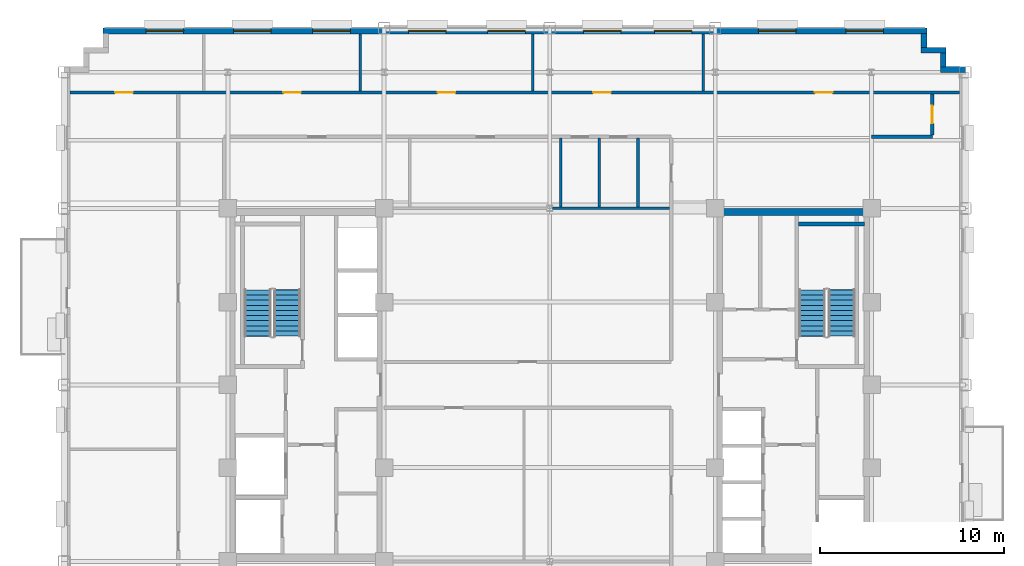
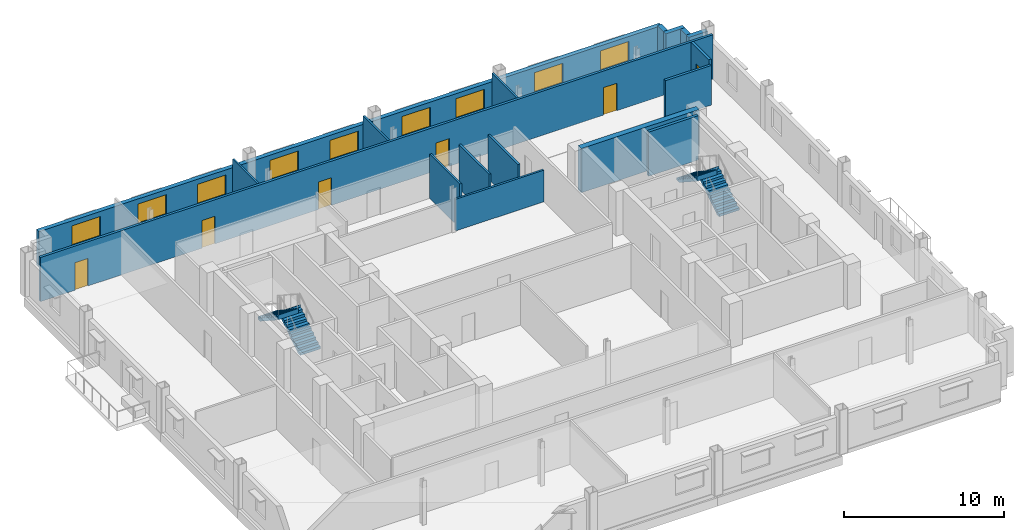
# One storey, part 10 of 14: 17 walls, 9 windows, 6 doors, 4 stair flights, 15 openings, 2 elements without a shape of their own.
"""IFC4 building model written with IfcOpenShell, lengths in metres."""

import ifcopenshell
import ifcopenshell.guid

model = None  # the IFC model being written
_history = None  # IfcOwnerHistory: only IFC2X3 demands one
_inside = {}  # id of a spatial element -> (the spatial element, [elements in it])
_under = {}  # id of a project, library or spatial element -> (it, [spatial elements below it])
_declared = {}  # id of a project -> (the project, [libraries it declares])
_typed = {}  # id of a type object -> (the type object, [elements of that type])
_made_of = {}  # id of a material, layer set ... -> (it, [elements and type objects made of it])


def new_model(schema):
    """Start an empty IFC model of exactly this schema.

    Asked for "IFC4X3", IfcOpenShell would pick the latest addendum, in which some entities
    have other attributes; the version numbers below select the first issue.
    IFC2X3 requires an IfcOwnerHistory on every rooted entity: one is made here for all.
    """
    global model, _history
    if schema == "IFC4X3":
        model = ifcopenshell.file(schema_version=(4, 3, 0, 0))
    else:
        model = ifcopenshell.file(schema=schema)
    _inside.clear()
    _under.clear()
    _declared.clear()
    _typed.clear()
    _made_of.clear()
    _history = None
    if model.schema == "IFC2X3":
        org = make("IfcOrganization", Name="unknown")
        user = make(
            "IfcPersonAndOrganization",
            ThePerson=make("IfcPerson", FamilyName="unknown"),
            TheOrganization=org,
        )
        app = make(
            "IfcApplication",
            ApplicationDeveloper=org,
            Version="unknown",
            ApplicationFullName="unknown",
            ApplicationIdentifier="unknown",
        )
        _history = make(
            "IfcOwnerHistory",
            OwningUser=user,
            OwningApplication=app,
            ChangeAction="ADDED",
            CreationDate=0,
        )
    return model


def make(cls, **values):
    """One entity of the class cls with the attributes given. An attribute that is None is left unset."""
    return model.create_entity(
        cls, **{name: value for name, value in values.items() if value is not None}
    )


def rooted(cls, **values):
    """An entity with a GlobalId (a new one), such as an element, a storey or a relation."""
    return make(cls, GlobalId=ifcopenshell.guid.new(), OwnerHistory=_history, **values)


def si_unit(unit_type, name, prefix=None):
    """IfcSIUnit, for example si_unit("LENGTHUNIT", "METRE", prefix="MILLI")."""
    return make("IfcSIUnit", UnitType=unit_type, Prefix=prefix, Name=name)


def assignment(units):
    """IfcUnitAssignment: the units of a project."""
    return None if units is None else make("IfcUnitAssignment", Units=units)


def point(xyz):
    """IfcCartesianPoint."""
    return None if xyz is None else make("IfcCartesianPoint", Coordinates=xyz)


def direction(xyz):
    """IfcDirection."""
    return None if xyz is None else make("IfcDirection", DirectionRatios=xyz)


def frame(location, z_axis=None, x_axis=None):
    """IfcAxis2Placement3D, a coordinate frame: its origin and axes. An axis left out is left unset."""
    return make(
        "IfcAxis2Placement3D",
        Location=point(location),
        Axis=direction(z_axis),
        RefDirection=direction(x_axis),
    )


def frame_2d(location, x_axis=None):
    """IfcAxis2Placement2D, a coordinate frame in the plane: its origin and x axis."""
    return make(
        "IfcAxis2Placement2D", Location=point(location), RefDirection=direction(x_axis)
    )


def origin():
    """The frame at (0, 0, 0) with its axes left unset."""
    return frame((0.0, 0.0, 0.0))


def place(relative_to, where):
    """IfcLocalPlacement: puts the frame where relative to a parent placement (None: the world)."""
    return make(
        "IfcLocalPlacement", PlacementRelTo=relative_to, RelativePlacement=where
    )


def context(
    kind, dimensions, precision=None, world=None, true_north=None, identifier=None
):
    """IfcGeometricRepresentationContext, for example the 3D "Model" context."""
    return make(
        "IfcGeometricRepresentationContext",
        ContextIdentifier=identifier,
        ContextType=kind,
        CoordinateSpaceDimension=dimensions,
        Precision=precision,
        WorldCoordinateSystem=world,
        TrueNorth=true_north,
    )


def subcontext(parent, identifier, kind, view, scale=None):
    """IfcGeometricRepresentationSubContext, for example "Body" below "Model"."""
    return make(
        "IfcGeometricRepresentationSubContext",
        ContextIdentifier=identifier,
        ContextType=kind,
        ParentContext=parent,
        TargetScale=scale,
        TargetView=view,
    )


def project(units=None, contexts=None):
    """IfcProject with its units and contexts."""
    return rooted(
        "IfcProject",
        Name="project",
        RepresentationContexts=contexts,
        UnitsInContext=assignment(units),
    )


def spatial(cls, under=None, at=None, **own):
    """A site, building, storey or space (cls), placed at a placement, below another one or the project."""
    s = rooted(cls, ObjectPlacement=at, **own)
    if under is not None:
        _under.setdefault(under.id(), (under, []))[1].append(s)
    return s


def polyline(points):
    """IfcPolyline through the points."""
    return make("IfcPolyline", Points=[point(p) for p in points])


def profile(cls, at=None, kind="AREA", **sizes):
    """A parametric profile (cls). Its sizes go by their IFC names, for example OverallWidth=200.0."""
    return make(cls, ProfileType=kind, Position=at, **sizes)


def rectangle(**sizes):
    """IfcRectangleProfileDef."""
    return profile("IfcRectangleProfileDef", **sizes)


def outline(outer, holes=None, kind="AREA"):
    """IfcArbitraryClosedProfileDef: a profile drawn as a closed curve; with holes, ...WithVoids."""
    if holes is None:
        return make("IfcArbitraryClosedProfileDef", ProfileType=kind, OuterCurve=outer)
    return make(
        "IfcArbitraryProfileDefWithVoids",
        ProfileType=kind,
        OuterCurve=outer,
        InnerCurves=holes,
    )


def extrude(swept, where, along, depth):
    """IfcExtrudedAreaSolid: the profile swept, set in the frame where, extruded along a direction by depth."""
    return make(
        "IfcExtrudedAreaSolid",
        SweptArea=swept,
        Position=where,
        ExtrudedDirection=direction(along),
        Depth=depth,
    )


def shape(context_of_items, identifier, shape_type, items):
    """IfcShapeRepresentation: the items that make up one representation, for example the "Body"."""
    return make(
        "IfcShapeRepresentation",
        ContextOfItems=context_of_items,
        RepresentationIdentifier=identifier,
        RepresentationType=shape_type,
        Items=items,
    )


def source(mapping_origin, context_of_items, identifier, shape_type, items):
    """IfcRepresentationMap: a shape defined once, which mapped items show again and again."""
    return make(
        "IfcRepresentationMap",
        MappingOrigin=mapping_origin,
        MappedRepresentation=shape(context_of_items, identifier, shape_type, items),
    )


def transform(
    local_origin,
    x_axis=None,
    y_axis=None,
    z_axis=None,
    scale=None,
    scale2=None,
    scale3=None,
    uniform=True,
):
    """IfcCartesianTransformationOperator3D, or its non-uniform kind. x_axis, y_axis, z_axis: its Axis1, 2, 3."""
    if uniform:
        return make(
            "IfcCartesianTransformationOperator3D",
            Axis1=direction(x_axis),
            Axis2=direction(y_axis),
            LocalOrigin=point(local_origin),
            Scale=scale,
            Axis3=direction(z_axis),
        )
    return make(
        "IfcCartesianTransformationOperator3DnonUniform",
        Axis1=direction(x_axis),
        Axis2=direction(y_axis),
        LocalOrigin=point(local_origin),
        Scale=scale,
        Axis3=direction(z_axis),
        Scale2=scale2,
        Scale3=scale3,
    )


def mapped(mapping_source, mapping_target):
    """IfcMappedItem: shows the shape of a source again, moved by a transform."""
    return make(
        "IfcMappedItem", MappingSource=mapping_source, MappingTarget=mapping_target
    )


def material(Name=None, Category=None):
    """IfcMaterial."""
    return make("IfcMaterial", Name=Name, Category=Category)


def layer(
    of_material, thickness, ventilated=None, Name=None, Category=None, Priority=None
):
    """IfcMaterialLayer: one layer of a wall or slab, of a material (None: an air gap)."""
    return make(
        "IfcMaterialLayer",
        Material=of_material,
        LayerThickness=thickness,
        IsVentilated=ventilated,
        Name=Name,
        Category=Category,
        Priority=Priority,
    )


def layer_set(layers, Name=None):
    """IfcMaterialLayerSet."""
    return make("IfcMaterialLayerSet", MaterialLayers=layers, LayerSetName=Name)


def made_of(thing, what):
    """Note that an element or type object is made of a material, layer set ...; save() writes the relation."""
    if what is not None:
        _made_of.setdefault(what.id(), (what, []))[1].append(thing)
    return thing


def type_object(cls, material=None, **own):
    """A type object (cls), such as IfcWallType, which elements share."""
    return made_of(rooted(cls, **own), material)


def type_shapes(of_type, sources):
    """Give a type object the sources (RepresentationMaps) that its elements show as mapped items."""
    of_type.RepresentationMaps = sources


def element(
    cls,
    number,
    at=None,
    inside=None,
    cuts=None,
    type_object=None,
    material=None,
    context=None,
    identifier="Body",
    shape_type=None,
    held_by="IfcProductDefinitionShape",
    body=None,
    shapes=None,
    **own,
):
    """One element of the class cls, such as IfcWall. Its Tag is "e" and its number.

    at: its placement. inside: the storey or other place that contains it. cuts: it is an
    opening in that element (IfcRelVoidsElement). A single representation is given by context,
    identifier, shape_type and body (its items); several are given by shapes. held_by: the class
    of the entity that holds the representations. save() writes the other relations.
    """
    e = rooted(cls, Tag="e%d" % number, ObjectPlacement=at, **own)
    if body is not None:
        shapes = [shape(context, identifier, shape_type, body)]
    if shapes is not None:
        e.Representation = make(held_by, Representations=shapes)
    if inside is not None:
        _inside.setdefault(inside.id(), (inside, []))[1].append(e)
    if cuts is not None:
        rooted(
            "IfcRelVoidsElement", RelatingBuildingElement=cuts, RelatedOpeningElement=e
        )
    if type_object is not None:
        _typed.setdefault(type_object.id(), (type_object, []))[1].append(e)
    return made_of(e, material)


def fill(opening, filler):
    """IfcRelFillsElement: the door or window that sits in an opening."""
    return rooted(
        "IfcRelFillsElement",
        RelatingOpeningElement=opening,
        RelatedBuildingElement=filler,
    )


def aggregate(whole, parts):
    """IfcRelAggregates: a whole, such as a stair, and the parts it consists of."""
    return rooted("IfcRelAggregates", RelatingObject=whole, RelatedObjects=parts)


def save(model, path):
    """Write the relations noted so far, then the file.

    IfcRelAggregates (storeys below a building ...), IfcRelContainedInSpatialStructure (elements
    in a storey), IfcRelDefinesByType, IfcRelAssociatesMaterial and IfcRelDeclares: one each for
    every whole, place, type object, material and project.
    """
    for whole, parts in _under.values():
        aggregate(whole, parts)
    for where, things in _inside.values():
        rooted(
            "IfcRelContainedInSpatialStructure",
            RelatedElements=things,
            RelatingStructure=where,
        )
    for kind, things in _typed.values():
        rooted("IfcRelDefinesByType", RelatedObjects=things, RelatingType=kind)
    for what, things in _made_of.values():
        rooted("IfcRelAssociatesMaterial", RelatedObjects=things, RelatingMaterial=what)
    for by, libraries in _declared.values():
        rooted("IfcRelDeclares", RelatingContext=by, RelatedDefinitions=libraries)
    model.write(path)


model = new_model("IFC4")

# Units and contexts
model_context = context("Model", 3, precision=1e-05, world=origin(), true_north=direction((0.0, 1.0)))
body_context = subcontext(model_context, "Body", "Model", "MODEL_VIEW")
ifc_project = project(units=[si_unit("LENGTHUNIT", "METRE"), si_unit("AREAUNIT", "SQUARE_METRE"), si_unit("VOLUMEUNIT", "CUBIC_METRE"), si_unit("PLANEANGLEUNIT", "RADIAN"), si_unit("MASSUNIT", "GRAM", prefix="KILO")], contexts=[model_context])

# Site, building, storey
site_placement = place(None, origin())
site = spatial("IfcSite", under=ifc_project, at=site_placement, CompositionType="ELEMENT")
building_placement = place(site_placement, origin())
building = spatial("IfcBuilding", under=site, at=building_placement, Name="Nuvemarco Arch Tower", CompositionType="ELEMENT")
storey_placement = place(building_placement, frame((0.0, 0.0, 171.300048828125)))
storey = spatial("IfcBuildingStorey", under=building, at=storey_placement, Name="L45", CompositionType="ELEMENT", Elevation=171.300048828125)

# Walls
ifc_material_1 = material(Name="Precast concrete C45/55", Category="concrete")
ifc_layer_1 = layer(ifc_material_1, 0.31005859375, Name="EW-UPP-310")
ifc_layer_set_1 = layer_set([ifc_layer_1], Name="Precast concrete C45/55")
wall_type_1 = type_object("IfcWallType", Name="EW-UPP-310", PredefinedType="STANDARD", material=ifc_layer_set_1)
wall_1_placement = place(storey_placement, frame((21.239990234375, 17.14501953125, 0.0), z_axis=(0.0, 0.0, 1.0), x_axis=(1.0, 0.0, 0.0)))
element("IfcWall", 1, at=wall_1_placement, inside=storey, type_object=wall_type_1, Name="L45 exterior precast facade wall 7", PredefinedType="STANDARD", context=body_context, shape_type="SweptSolid", body=[
    extrude(rectangle(XDim=1.360107421875, YDim=0.31005859375, at=frame_2d((0.68017578125, 0.0))), origin(), (0.0, 0.0, 1.0), 2.81591796875),
])
wall_2_placement = place(storey_placement, frame((21.39501953125, 17.2958984375, 0.0), z_axis=(0.0, 0.0, 1.0), x_axis=(0.0, 1.0, 0.0)))
element("IfcWall", 2, at=wall_2_placement, inside=storey, type_object=wall_type_1, Name="L45 exterior precast facade wall 8", PredefinedType="STANDARD", context=body_context, shape_type="SweptSolid", body=[
    extrude(rectangle(XDim=0.748046875, YDim=0.31005859375, at=frame_2d((0.3740234375, 0.0))), origin(), (0.0, 0.0, 1.0), 2.81591796875),
])
wall_3_placement = place(storey_placement, frame((20.18994140625, 18.195068359375, 0.0), z_axis=(0.0, 0.0, 1.0), x_axis=(1.0, 0.0, 0.0)))
element("IfcWall", 3, at=wall_3_placement, inside=storey, type_object=wall_type_1, Name="L45 exterior precast facade wall 9", PredefinedType="STANDARD", context=body_context, shape_type="SweptSolid", body=[
    extrude(rectangle(XDim=1.360107421875, YDim=0.31005859375, at=frame_2d((0.68017578125, 0.0))), origin(), (0.0, 0.0, 1.0), 2.81591796875),
])
wall_4_placement = place(storey_placement, frame((20.344970703125, 18.345947265625, 0.0), z_axis=(0.0, 0.0, 1.0), x_axis=(0.0, 1.0, 0.0)))
element("IfcWall", 4, at=wall_4_placement, inside=storey, type_object=wall_type_1, Name="L45 exterior precast facade wall 10", PredefinedType="STANDARD", context=body_context, shape_type="SweptSolid", body=[
    extrude(rectangle(XDim=0.748046875, YDim=0.31005859375, at=frame_2d((0.3740234375, 0.0))), origin(), (0.0, 0.0, 1.0), 2.81591796875),
])

# Wall, openings, windows
wall_5_placement = place(storey_placement, frame((-24.300048828125, 19.2451171875, 0.0), z_axis=(0.0, 0.0, 1.0), x_axis=(1.0, 0.0, 0.0)))
wall_5 = element("IfcWall", 5, at=wall_5_placement, inside=storey, type_object=wall_type_1, Name="L45 exterior precast facade wall 11", PredefinedType="STANDARD", context=body_context, shape_type="SweptSolid", body=[
    extrude(rectangle(XDim=44.800048828125, YDim=0.31005859375, at=frame_2d((22.39990234375, 0.0))), origin(), (0.0, 0.0, 1.0), 2.704833984375),
])
opening_1_placement = place(wall_5_placement, frame((2.352783203125, 0.0, 0.800048828125)))
opening_1 = element("IfcOpeningElement", 6, at=opening_1_placement, cuts=wall_5, Name="Opening WN-12", PredefinedType="OPENING", context=body_context, shape_type="SweptSolid", body=[
    extrude(rectangle(XDim=2.050048828125, YDim=1.52001953125, at=frame_2d((1.02490234375, 0.760009765625))), frame((0.0, 0.1650390625, 0.0), z_axis=(0.0, -1.0, 0.0), x_axis=(1.0, 0.0, 0.0)), (0.0, 0.0, 1.0), 0.330078125),
])
opening_2_placement = place(wall_5_placement, frame((7.1083984375, 0.0, 0.800048828125)))
opening_2 = element("IfcOpeningElement", 7, at=opening_2_placement, cuts=wall_5, Name="Opening WN-12", PredefinedType="OPENING", context=body_context, shape_type="SweptSolid", body=[
    extrude(rectangle(XDim=2.050048828125, YDim=1.52001953125, at=frame_2d((1.02490234375, 0.760009765625))), frame((0.0, 0.1650390625, 0.0), z_axis=(0.0, -1.0, 0.0), x_axis=(1.0, 0.0, 0.0)), (0.0, 0.0, 1.0), 0.330078125),
])
opening_3_placement = place(wall_5_placement, frame((11.413818359375, 0.0, 0.800048828125)))
opening_3 = element("IfcOpeningElement", 8, at=opening_3_placement, cuts=wall_5, Name="Opening WN-12", PredefinedType="OPENING", context=body_context, shape_type="SweptSolid", body=[
    extrude(rectangle(XDim=2.050048828125, YDim=1.52001953125, at=frame_2d((1.02490234375, 0.760009765625))), frame((0.0, 0.1650390625, 0.0), z_axis=(0.0, -1.0, 0.0), x_axis=(1.0, 0.0, 0.0)), (0.0, 0.0, 1.0), 0.330078125),
])
opening_4_placement = place(wall_5_placement, frame((16.619384765625, 0.0, 0.800048828125)))
opening_4 = element("IfcOpeningElement", 9, at=opening_4_placement, cuts=wall_5, Name="Opening WN-12", PredefinedType="OPENING", context=body_context, shape_type="SweptSolid", body=[
    extrude(rectangle(XDim=2.050048828125, YDim=1.52001953125, at=frame_2d((1.02490234375, 0.760009765625))), frame((0.0, 0.1650390625, 0.0), z_axis=(0.0, -1.0, 0.0), x_axis=(1.0, 0.0, 0.0)), (0.0, 0.0, 1.0), 0.330078125),
])
opening_5_placement = place(wall_5_placement, frame((20.925048828125, 0.0, 0.800048828125)))
opening_5 = element("IfcOpeningElement", 10, at=opening_5_placement, cuts=wall_5, Name="Opening WN-12", PredefinedType="OPENING", context=body_context, shape_type="SweptSolid", body=[
    extrude(rectangle(XDim=2.050048828125, YDim=1.52001953125, at=frame_2d((1.02490234375, 0.760009765625))), frame((0.0, 0.1650390625, 0.0), z_axis=(0.0, -1.0, 0.0), x_axis=(1.0, 0.0, 0.0)), (0.0, 0.0, 1.0), 0.330078125),
])
opening_6_placement = place(wall_5_placement, frame((26.130615234375, 0.0, 0.800048828125)))
opening_6 = element("IfcOpeningElement", 11, at=opening_6_placement, cuts=wall_5, Name="Opening WN-12", PredefinedType="OPENING", context=body_context, shape_type="SweptSolid", body=[
    extrude(rectangle(XDim=2.050048828125, YDim=1.52001953125, at=frame_2d((1.02490234375, 0.760009765625))), frame((0.0, 0.1650390625, 0.0), z_axis=(0.0, -1.0, 0.0), x_axis=(1.0, 0.0, 0.0)), (0.0, 0.0, 1.0), 0.330078125),
])
opening_7_placement = place(wall_5_placement, frame((29.986083984375, 0.0, 0.800048828125)))
opening_7 = element("IfcOpeningElement", 12, at=opening_7_placement, cuts=wall_5, Name="Opening WN-12", PredefinedType="OPENING", context=body_context, shape_type="SweptSolid", body=[
    extrude(rectangle(XDim=2.050048828125, YDim=1.52001953125, at=frame_2d((1.02490234375, 0.760009765625))), frame((0.0, 0.1650390625, 0.0), z_axis=(0.0, -1.0, 0.0), x_axis=(1.0, 0.0, 0.0)), (0.0, 0.0, 1.0), 0.330078125),
])
opening_8_placement = place(wall_5_placement, frame((35.6416015625, 0.0, 0.800048828125)))
opening_8 = element("IfcOpeningElement", 13, at=opening_8_placement, cuts=wall_5, Name="Opening WN-12", PredefinedType="OPENING", context=body_context, shape_type="SweptSolid", body=[
    extrude(rectangle(XDim=2.050048828125, YDim=1.52001953125, at=frame_2d((1.02490234375, 0.760009765625))), frame((0.0, 0.1650390625, 0.0), z_axis=(0.0, -1.0, 0.0), x_axis=(1.0, 0.0, 0.0)), (0.0, 0.0, 1.0), 0.330078125),
])
opening_9_placement = place(wall_5_placement, frame((40.397216796875, 0.0, 0.800048828125)))
opening_9 = element("IfcOpeningElement", 14, at=opening_9_placement, cuts=wall_5, Name="Opening WN-12", PredefinedType="OPENING", context=body_context, shape_type="SweptSolid", body=[
    extrude(rectangle(XDim=2.050048828125, YDim=1.52001953125, at=frame_2d((1.02490234375, 0.760009765625))), frame((0.0, 0.1650390625, 0.0), z_axis=(0.0, -1.0, 0.0), x_axis=(1.0, 0.0, 0.0)), (0.0, 0.0, 1.0), 0.330078125),
])
ifc_material_2 = material(Name="Insulated solar-control glass", Category="glass")
window_type = type_object("IfcWindowType", Name="WN-SET-2050x1520", PartitioningType="DOUBLE_PANEL_VERTICAL", PredefinedType="WINDOW", material=ifc_material_2)
shared_shape_1 = source(origin(), body_context, "Body", "SweptSolid", [
    extrude(rectangle(XDim=2.050048828125, YDim=1.52001953125, at=frame_2d((1.02490234375, 0.760009765625))), frame((0.0, 0.030029296875, 0.0), z_axis=(0.0, -1.0, 0.0), x_axis=(1.0, 0.0, 0.0)), (0.0, 0.0, 1.0), 0.06005859375),
])
type_shapes(window_type, [shared_shape_1])
window_1_placement = place(opening_1_placement, origin())
window_1 = element("IfcWindow", 15, at=window_1_placement, inside=storey, type_object=window_type, Name="L45 punched facade window 1", OverallHeight=1.52001953125, OverallWidth=2.050048828125, PartitioningType="SINGLE_PANEL", PredefinedType="WINDOW", context=body_context, shape_type="MappedRepresentation", body=[
    mapped(shared_shape_1, transform((0.0, 0.0, 0.0), scale=1.0)),
])
fill(opening_1, window_1)
window_2_placement = place(opening_2_placement, origin())
window_2 = element("IfcWindow", 16, at=window_2_placement, inside=storey, type_object=window_type, Name="L45 punched facade window 2", OverallHeight=1.52001953125, OverallWidth=2.050048828125, PartitioningType="SINGLE_PANEL", PredefinedType="WINDOW", context=body_context, shape_type="MappedRepresentation", body=[
    mapped(shared_shape_1, transform((0.0, 0.0, 0.0), scale=1.0)),
])
fill(opening_2, window_2)
window_3_placement = place(opening_3_placement, origin())
window_3 = element("IfcWindow", 17, at=window_3_placement, inside=storey, type_object=window_type, Name="L45 punched facade window 3", OverallHeight=1.52001953125, OverallWidth=2.050048828125, PartitioningType="SINGLE_PANEL", PredefinedType="WINDOW", context=body_context, shape_type="MappedRepresentation", body=[
    mapped(shared_shape_1, transform((0.0, 0.0, 0.0), scale=1.0)),
])
fill(opening_3, window_3)
window_4_placement = place(opening_4_placement, origin())
window_4 = element("IfcWindow", 18, at=window_4_placement, inside=storey, type_object=window_type, Name="L45 punched facade window 4", OverallHeight=1.52001953125, OverallWidth=2.050048828125, PartitioningType="SINGLE_PANEL", PredefinedType="WINDOW", context=body_context, shape_type="MappedRepresentation", body=[
    mapped(shared_shape_1, transform((0.0, 0.0, 0.0), scale=1.0)),
])
fill(opening_4, window_4)
window_5_placement = place(opening_5_placement, origin())
window_5 = element("IfcWindow", 19, at=window_5_placement, inside=storey, type_object=window_type, Name="L45 punched facade window 5", OverallHeight=1.52001953125, OverallWidth=2.050048828125, PartitioningType="SINGLE_PANEL", PredefinedType="WINDOW", context=body_context, shape_type="MappedRepresentation", body=[
    mapped(shared_shape_1, transform((0.0, 0.0, 0.0), scale=1.0)),
])
fill(opening_5, window_5)
window_6_placement = place(opening_6_placement, origin())
window_6 = element("IfcWindow", 20, at=window_6_placement, inside=storey, type_object=window_type, Name="L45 punched facade window 6", OverallHeight=1.52001953125, OverallWidth=2.050048828125, PartitioningType="SINGLE_PANEL", PredefinedType="WINDOW", context=body_context, shape_type="MappedRepresentation", body=[
    mapped(shared_shape_1, transform((0.0, 0.0, 0.0), scale=1.0)),
])
fill(opening_6, window_6)
window_7_placement = place(opening_7_placement, origin())
window_7 = element("IfcWindow", 21, at=window_7_placement, inside=storey, type_object=window_type, Name="L45 punched facade window 7", OverallHeight=1.52001953125, OverallWidth=2.050048828125, PartitioningType="SINGLE_PANEL", PredefinedType="WINDOW", context=body_context, shape_type="MappedRepresentation", body=[
    mapped(shared_shape_1, transform((0.0, 0.0, 0.0), scale=1.0)),
])
fill(opening_7, window_7)
window_8_placement = place(opening_8_placement, origin())
window_8 = element("IfcWindow", 22, at=window_8_placement, inside=storey, type_object=window_type, Name="L45 punched facade window 8", OverallHeight=1.52001953125, OverallWidth=2.050048828125, PartitioningType="SINGLE_PANEL", PredefinedType="WINDOW", context=body_context, shape_type="MappedRepresentation", body=[
    mapped(shared_shape_1, transform((0.0, 0.0, 0.0), scale=1.0)),
])
fill(opening_8, window_8)
window_9_placement = place(opening_9_placement, origin())
window_9 = element("IfcWindow", 23, at=window_9_placement, inside=storey, type_object=window_type, Name="L45 punched facade window 9", OverallHeight=1.52001953125, OverallWidth=2.050048828125, PartitioningType="SINGLE_PANEL", PredefinedType="WINDOW", context=body_context, shape_type="MappedRepresentation", body=[
    mapped(shared_shape_1, transform((0.0, 0.0, 0.0), scale=1.0)),
])
fill(opening_9, window_9)

# Walls
ifc_material_3 = material(Name="Concrete C60/75", Category="concrete")
ifc_layer_2 = layer(ifc_material_3, 0.39990234375, Name="WL-CORE-400")
ifc_layer_set_2 = layer_set([ifc_layer_2], Name="Concrete C60/75")
wall_type_2 = type_object("IfcWallType", Name="WL-CORE-400", PredefinedType="SHEAR", material=ifc_layer_set_2)
wall_6_placement = place(storey_placement, frame((9.0, 9.39990234375, 0.0), z_axis=(0.0, 0.0, 1.0), x_axis=(1.0, 0.0, 0.0)))
element("IfcWall", 24, at=wall_6_placement, inside=storey, type_object=wall_type_2, Name="L45 E-core shear wall N", PredefinedType="SHEAR", context=body_context, shape_type="SweptSolid", body=[
    extrude(rectangle(XDim=8.5, YDim=0.39990234375, at=frame_2d((4.25, 0.0))), origin(), (0.0, 0.0, 1.0), 3.369873046875),
])
ifc_material_4 = material(Name="Fire-rated gypsum drywall partition")
ifc_layer_3 = layer(ifc_material_4, 0.179931640625, Name="WL-CORR-180")
ifc_layer_set_3 = layer_set([ifc_layer_3], Name="Fire-rated gypsum drywall partition")
wall_type_3 = type_object("IfcWallType", Name="WL-CORR-180", PredefinedType="PARTITIONING", material=ifc_layer_set_3)
wall_7_placement = place(storey_placement, frame((17.5, 13.5, 0.0), z_axis=(0.0, 0.0, 1.0), x_axis=(1.0, 0.0, 0.0)))
element("IfcWall", 25, at=wall_7_placement, inside=storey, type_object=wall_type_3, Name="L45 interior wall IW-L45-012", PredefinedType="PARTITIONING", context=body_context, shape_type="SweptSolid", body=[
    extrude(rectangle(XDim=3.300048828125, YDim=0.179931640625, at=frame_2d((1.64990234375, 0.0))), origin(), (0.0, 0.0, 1.0), 3.008056640625),
])

# Wall, openings, doors
wall_8_placement = place(storey_placement, frame((-26.090087890625, 15.89990234375, 0.0), z_axis=(0.0, 0.0, 1.0), x_axis=(1.0, 0.0, 0.0)))
wall_8 = element("IfcWall", 26, at=wall_8_placement, inside=storey, type_object=wall_type_3, Name="L45 interior wall IW-L45-013", PredefinedType="PARTITIONING", context=body_context, shape_type="SweptSolid", body=[
    extrude(rectangle(XDim=48.380126953125, YDim=0.179931640625, at=frame_2d((24.18994140625, 0.0))), origin(), (0.0, 0.0, 1.0), 3.35986328125),
])
opening_10_placement = place(wall_8_placement, frame((40.510009765625, 0.0, 0.0)))
opening_10 = element("IfcOpeningElement", 27, at=opening_10_placement, cuts=wall_8, Name="Opening FD-5", PredefinedType="OPENING", context=body_context, shape_type="SweptSolid", body=[
    extrude(rectangle(XDim=0.9599609375, YDim=2.10009765625, at=frame_2d((0.47998046875, 1.050048828125))), frame((0.0, 0.099853515625, 0.0), z_axis=(0.0, -1.0, 0.0), x_axis=(1.0, 0.0, 0.0)), (0.0, 0.0, 1.0), 0.199951171875),
])
opening_11_placement = place(wall_8_placement, frame((19.9951171875, 0.0, 0.0)))
opening_11 = element("IfcOpeningElement", 28, at=opening_11_placement, cuts=wall_8, Name="Opening FD-5", PredefinedType="OPENING", context=body_context, shape_type="SweptSolid", body=[
    extrude(rectangle(XDim=0.9599609375, YDim=2.10009765625, at=frame_2d((0.47998046875, 1.050048828125))), frame((0.0, 0.099853515625, 0.0), z_axis=(0.0, -1.0, 0.0), x_axis=(1.0, 0.0, 0.0)), (0.0, 0.0, 1.0), 0.199951171875),
])
opening_12_placement = place(wall_8_placement, frame((28.449951171875, 0.0, 0.0)))
opening_12 = element("IfcOpeningElement", 29, at=opening_12_placement, cuts=wall_8, Name="Opening FD-5", PredefinedType="OPENING", context=body_context, shape_type="SweptSolid", body=[
    extrude(rectangle(XDim=0.9599609375, YDim=2.10009765625, at=frame_2d((0.47998046875, 1.050048828125))), frame((0.0, 0.099853515625, 0.0), z_axis=(0.0, -1.0, 0.0), x_axis=(1.0, 0.0, 0.0)), (0.0, 0.0, 1.0), 0.199951171875),
])
opening_13_placement = place(wall_8_placement, frame((11.60498046875, 0.0, 0.0)))
opening_13 = element("IfcOpeningElement", 30, at=opening_13_placement, cuts=wall_8, Name="Opening FD-5", PredefinedType="OPENING", context=body_context, shape_type="SweptSolid", body=[
    extrude(rectangle(XDim=0.9599609375, YDim=2.10009765625, at=frame_2d((0.47998046875, 1.050048828125))), frame((0.0, 0.099853515625, 0.0), z_axis=(0.0, -1.0, 0.0), x_axis=(1.0, 0.0, 0.0)), (0.0, 0.0, 1.0), 0.199951171875),
])
opening_14_placement = place(wall_8_placement, frame((2.465087890625, 0.0, 0.0)))
opening_14 = element("IfcOpeningElement", 31, at=opening_14_placement, cuts=wall_8, Name="Opening FD-5", PredefinedType="OPENING", context=body_context, shape_type="SweptSolid", body=[
    extrude(rectangle(XDim=0.9599609375, YDim=2.10009765625, at=frame_2d((0.47998046875, 1.050048828125))), frame((0.0, 0.099853515625, 0.0), z_axis=(0.0, -1.0, 0.0), x_axis=(1.0, 0.0, 0.0)), (0.0, 0.0, 1.0), 0.199951171875),
])
ifc_material_5 = material(Name="Timber fire door", Category="wood")
door_type = type_object("IfcDoorType", Name="DR-CORR-FD", OperationType="NOTDEFINED", PredefinedType="DOOR", material=ifc_material_5)
shared_shape_2 = source(origin(), body_context, "Body", "SweptSolid", [
    extrude(rectangle(XDim=0.9599609375, YDim=2.10009765625, at=frame_2d((0.47998046875, 1.050048828125))), frame((0.0, 0.02490234375, 0.0), z_axis=(0.0, -1.0, 0.0), x_axis=(1.0, 0.0, 0.0)), (0.0, 0.0, 1.0), 0.050048828125),
])
type_shapes(door_type, [shared_shape_2])
door_1_placement = place(opening_10_placement, origin())
door_1 = element("IfcDoor", 32, at=door_1_placement, inside=storey, type_object=door_type, Name="L45 door DR-L45-N_5", OperationType="SINGLE_SWING_LEFT", OverallHeight=2.10009765625, OverallWidth=0.9599609375, PredefinedType="DOOR", context=body_context, shape_type="MappedRepresentation", body=[
    mapped(shared_shape_2, transform((0.0, 0.0, 0.0), scale=1.0)),
])
fill(opening_10, door_1)
door_2_placement = place(opening_11_placement, origin())
door_2 = element("IfcDoor", 33, at=door_2_placement, inside=storey, type_object=door_type, Name="L45 door DR-L45-N_3", OperationType="SINGLE_SWING_RIGHT", OverallHeight=2.10009765625, OverallWidth=0.9599609375, PredefinedType="DOOR", context=body_context, shape_type="MappedRepresentation", body=[
    mapped(shared_shape_2, transform((0.0, 0.0, 0.0), scale=1.0)),
])
fill(opening_11, door_2)
door_3_placement = place(opening_12_placement, origin())
door_3 = element("IfcDoor", 34, at=door_3_placement, inside=storey, type_object=door_type, Name="L45 door DR-L45-N_4", OperationType="SINGLE_SWING_RIGHT", OverallHeight=2.10009765625, OverallWidth=0.9599609375, PredefinedType="DOOR", context=body_context, shape_type="MappedRepresentation", body=[
    mapped(shared_shape_2, transform((0.0, 0.0, 0.0), scale=1.0)),
])
fill(opening_12, door_3)
door_4_placement = place(opening_13_placement, origin())
door_4 = element("IfcDoor", 35, at=door_4_placement, inside=storey, type_object=door_type, Name="L45 door DR-L45-N_2", OperationType="SINGLE_SWING_LEFT", OverallHeight=2.10009765625, OverallWidth=0.9599609375, PredefinedType="DOOR", context=body_context, shape_type="MappedRepresentation", body=[
    mapped(shared_shape_2, transform((0.0, 0.0, 0.0), scale=1.0)),
])
fill(opening_13, door_4)
door_5_placement = place(opening_14_placement, origin())
door_5 = element("IfcDoor", 36, at=door_5_placement, inside=storey, type_object=door_type, Name="L45 door DR-L45-N_1", OperationType="SINGLE_SWING_RIGHT", OverallHeight=2.10009765625, OverallWidth=0.9599609375, PredefinedType="DOOR", context=body_context, shape_type="MappedRepresentation", body=[
    mapped(shared_shape_2, transform((0.0, 0.0, 0.0), scale=1.0)),
])
fill(opening_14, door_5)

# Wall, opening, door
wall_9_placement = place(storey_placement, frame((20.800048828125, 13.5859375, 0.0), z_axis=(0.0, 0.0, 1.0), x_axis=(0.0, 1.0, 0.0)))
wall_9 = element("IfcWall", 37, at=wall_9_placement, inside=storey, type_object=wall_type_3, Name="L45 interior wall IW-L45-031", PredefinedType="PARTITIONING", context=body_context, shape_type="SweptSolid", body=[
    extrude(rectangle(XDim=2.22802734375, YDim=0.179931640625, at=frame_2d((1.114013671875, 0.0))), origin(), (0.0, 0.0, 1.0), 3.35986328125),
])
opening_15_placement = place(wall_9_placement, frame((0.634033203125, 0.0, 0.0)))
opening_15 = element("IfcOpeningElement", 38, at=opening_15_placement, cuts=wall_9, Name="Opening FD-5", PredefinedType="OPENING", context=body_context, shape_type="SweptSolid", body=[
    extrude(rectangle(XDim=0.9599609375, YDim=2.10009765625, at=frame_2d((0.47998046875, 1.050048828125))), frame((0.0, 0.099853515625, 0.0), z_axis=(0.0, -1.0, 0.0), x_axis=(1.0, 0.0, 0.0)), (0.0, 0.0, 1.0), 0.199951171875),
])
door_6_placement = place(opening_15_placement, origin())
door_6 = element("IfcDoor", 39, at=door_6_placement, inside=storey, type_object=door_type, Name="L45 door DR-L45-E_1", OperationType="SINGLE_SWING_LEFT", OverallHeight=2.10009765625, OverallWidth=0.9599609375, PredefinedType="DOOR", context=body_context, shape_type="MappedRepresentation", body=[
    mapped(shared_shape_2, transform((0.0, 0.0, 0.0), scale=1.0)),
])
fill(opening_15, door_6)

# Walls
ifc_material_6 = material(Name="Glazed acoustic office partition")
ifc_layer_4 = layer(ifc_material_6, 0.1298828125, Name="WL-EXEC-130")
ifc_layer_set_4 = layer_set([ifc_layer_4], Name="Glazed acoustic office partition")
wall_type_4 = type_object("IfcWallType", Name="WL-EXEC-130", PredefinedType="PARTITIONING", material=ifc_layer_set_4)
for number, where, z_axis, x_axis, name in (
    (40, (-10.31005859375, 15.986083984375, 0.0), (0.0, 0.0, 1.0), (0.0, 1.0, 0.0), "L45 interior wall IW-L45-018"),
    (41, (-0.919921875, 15.986083984375, 0.0), (0.0, 0.0, 1.0), (0.0, 1.0, 0.0), "L45 interior wall IW-L45-022"),
    (42, (8.35009765625, 15.986083984375, 0.0), (0.0, 0.0, 1.0), (0.0, 1.0, 0.0), "L45 interior wall IW-L45-029"),
):
    element("IfcWall", number, at=place(storey_placement, frame(where, z_axis=z_axis, x_axis=x_axis)), inside=storey, type_object=wall_type_4, Name=name, PredefinedType="PARTITIONING", context=body_context, shape_type="SweptSolid", body=[
        extrude(rectangle(XDim=3.10400390625, YDim=0.1298828125, at=frame_2d((1.552001953125, 0.0))), origin(), (0.0, 0.0, 1.0), 3.35986328125),
    ])
ifc_material_7 = material(Name="Concrete C50/60", Category="concrete")
ifc_layer_5 = layer(ifc_material_7, 0.199951171875, Name="WL-SHAFT-220")
ifc_layer_set_5 = layer_set([ifc_layer_5], Name="Concrete C50/60")
wall_type_5 = type_object("IfcWallType", Name="WL-SHAFT-220", PredefinedType="SHEAR", material=ifc_layer_set_5)
wall_10_placement = place(storey_placement, frame((13.534912109375, 8.75, 0.0), z_axis=(0.0, 0.0, 1.0), x_axis=(1.0, 0.0, 0.0)))
element("IfcWall", 43, at=wall_10_placement, inside=storey, type_object=wall_type_5, Name="L45 structural shaft wall SW-L45-E-ST2N", PredefinedType="SHEAR", context=body_context, shape_type="SweptSolid", body=[
    extrude(rectangle(XDim=3.570068359375, YDim=0.199951171875, at=frame_2d((1.78515625, 0.0))), origin(), (0.0, 0.0, 1.0), 3.369873046875),
])
ifc_material_8 = material(Name="Moisture-resistant gypsum partition")
ifc_layer_6 = layer(ifc_material_8, 0.14990234375, Name="WL-WET-150")
ifc_layer_set_6 = layer_set([ifc_layer_6], Name="Moisture-resistant gypsum partition")
wall_type_6 = type_object("IfcWallType", Name="WL-WET-150", PredefinedType="PARTITIONING", material=ifc_layer_set_6)
wall_11_placement = place(storey_placement, frame((0.15087890625, 9.60009765625, 0.0), z_axis=(0.0, 0.0, 1.0), x_axis=(1.0, 0.0, 0.0)))
element("IfcWall", 44, at=wall_11_placement, inside=storey, type_object=wall_type_6, Name="L45 interior wall IW-L45-010", PredefinedType="PARTITIONING", context=body_context, shape_type="SweptSolid", body=[
    extrude(rectangle(XDim=6.363037109375, YDim=0.14990234375, at=frame_2d((3.181640625, 0.0))), origin(), (0.0, 0.0, 1.0), 2.405029296875),
])
for number, where, z_axis, x_axis, name in (
    (45, (0.60009765625, 9.6708984375, 0.0), (0.0, 0.0, 1.0), (0.0, 1.0, 0.0), "L45 interior wall IW-L45-023"),
    (46, (2.699951171875, 9.6708984375, 0.0), (0.0, 0.0, 1.0), (0.0, 1.0, 0.0), "L45 interior wall IW-L45-024"),
    (47, (4.800048828125, 9.6708984375, 0.0), (0.0, 0.0, 1.0), (0.0, 1.0, 0.0), "L45 interior wall IW-L45-025"),
):
    element("IfcWall", number, at=place(storey_placement, frame(where, z_axis=z_axis, x_axis=x_axis)), inside=storey, type_object=wall_type_6, Name=name, PredefinedType="PARTITIONING", context=body_context, shape_type="SweptSolid", body=[
        extrude(rectangle(XDim=3.7431640625, YDim=0.14990234375, at=frame_2d((1.87158203125, 0.0))), origin(), (0.0, 0.0, 1.0), 3.35986328125),
    ])

# Stair, stair flights
stair_type = type_object("IfcStairType", Name="ST-CORE-20R", PredefinedType="HALF_TURN_STAIR", material=ifc_material_1)
stair_1_placement = place(storey_placement, origin())
stair_1 = element("IfcStair", 48, at=stair_1_placement, inside=storey, type_object=stair_type, Name="L45 Protected Exit Stair ST-1", PredefinedType="HALF_TURN_STAIR")
stair_flight_type = type_object("IfcStairFlightType", Name="SF-CORE-20R", PredefinedType="STRAIGHT", material=ifc_material_1)
stair_flight_1_placement = place(storey_placement, frame((-14.264892578125, 2.64990234375, 0.0), z_axis=(0.0, 0.0, 1.0), x_axis=(0.0, 1.0, 0.0)))
stair_flight_1 = element("IfcStairFlight", 49, at=stair_flight_1_placement, type_object=stair_flight_type, Name="ST-20R flight 1", NumberOfRisers=10, NumberOfTreads=9, PredefinedType="STRAIGHT", RiserHeight=0.1825, TreadLength=0.28, context=body_context, shape_type="SweptSolid", body=[
    extrude(outline(polyline([(0.0, 0.0), (0.0, 0.1826171875), (0.280029296875, 0.1826171875), (0.280029296875, 0.364990234375), (0.56005859375, 0.364990234375), (0.56005859375, 0.547607421875), (0.840087890625, 0.547607421875), (0.840087890625, 0.72998046875), (1.1201171875, 0.72998046875), (1.1201171875, 0.91259765625), (1.39990234375, 0.91259765625), (1.39990234375, 1.094970703125), (1.679931640625, 1.094970703125), (1.679931640625, 1.277587890625), (1.9599609375, 1.277587890625), (1.9599609375, 1.4599609375), (2.239990234375, 1.4599609375), (2.239990234375, 1.642578125), (2.52001953125, 1.642578125), (2.52001953125, 1.824951171875), (2.5400390625, 1.824951171875), (2.5400390625, 1.45166015625), (0.312744140625, 0.0), (0.0, 0.0)])), frame((0.0, 0.72509765625, 0.0), z_axis=(0.0, -1.0, 0.0), x_axis=(1.0, 0.0, 0.0)), (0.0, 0.0, 1.0), 1.449951171875),
])
stair_flight_2_placement = place(storey_placement, frame((-15.875, 5.169921875, 1.824951171875), z_axis=(0.0, 0.0, 1.0), x_axis=(0.0, -1.0, 0.0)))
stair_flight_2 = element("IfcStairFlight", 50, at=stair_flight_2_placement, type_object=stair_flight_type, Name="ST-20R flight 2", NumberOfRisers=10, NumberOfTreads=9, PredefinedType="STRAIGHT", RiserHeight=0.1825, TreadLength=0.28, context=body_context, shape_type="SweptSolid", body=[
    extrude(outline(polyline([(0.0, 0.0), (0.0, 0.1826171875), (0.280029296875, 0.1826171875), (0.280029296875, 0.364990234375), (0.56005859375, 0.364990234375), (0.56005859375, 0.547607421875), (0.840087890625, 0.547607421875), (0.840087890625, 0.72998046875), (1.1201171875, 0.72998046875), (1.1201171875, 0.91259765625), (1.39990234375, 0.91259765625), (1.39990234375, 1.094970703125), (1.679931640625, 1.094970703125), (1.679931640625, 1.277587890625), (1.9599609375, 1.277587890625), (1.9599609375, 1.4599609375), (2.239990234375, 1.4599609375), (2.239990234375, 1.642578125), (2.52001953125, 1.642578125), (2.52001953125, 1.824951171875), (2.5400390625, 1.824951171875), (2.5400390625, 1.45166015625), (0.312744140625, 0.0), (0.0, 0.0)])), frame((0.0, 0.72509765625, 0.0), z_axis=(0.0, -1.0, 0.0), x_axis=(1.0, 0.0, 0.0)), (0.0, 0.0, 1.0), 1.449951171875),
])
aggregate(stair_1, [stair_flight_1, stair_flight_2])

stair_2_placement = place(storey_placement, origin())
stair_2 = element("IfcStair", 51, at=stair_2_placement, inside=storey, type_object=stair_type, Name="L45 Protected Exit Stair ST-2", PredefinedType="HALF_TURN_STAIR")
stair_flight_3_placement = place(storey_placement, frame((15.875, 2.64990234375, 0.0), z_axis=(0.0, 0.0, 1.0), x_axis=(0.0, 1.0, 0.0)))
stair_flight_3 = element("IfcStairFlight", 52, at=stair_flight_3_placement, type_object=stair_flight_type, Name="ST-20R flight 1", NumberOfRisers=10, NumberOfTreads=9, PredefinedType="STRAIGHT", RiserHeight=0.1825, TreadLength=0.28, context=body_context, shape_type="SweptSolid", body=[
    extrude(outline(polyline([(0.0, 0.0), (0.0, 0.1826171875), (0.280029296875, 0.1826171875), (0.280029296875, 0.364990234375), (0.56005859375, 0.364990234375), (0.56005859375, 0.547607421875), (0.840087890625, 0.547607421875), (0.840087890625, 0.72998046875), (1.1201171875, 0.72998046875), (1.1201171875, 0.91259765625), (1.39990234375, 0.91259765625), (1.39990234375, 1.094970703125), (1.679931640625, 1.094970703125), (1.679931640625, 1.277587890625), (1.9599609375, 1.277587890625), (1.9599609375, 1.4599609375), (2.239990234375, 1.4599609375), (2.239990234375, 1.642578125), (2.52001953125, 1.642578125), (2.52001953125, 1.824951171875), (2.5400390625, 1.824951171875), (2.5400390625, 1.45166015625), (0.312744140625, 0.0), (0.0, 0.0)])), frame((0.0, 0.72509765625, 0.0), z_axis=(0.0, -1.0, 0.0), x_axis=(1.0, 0.0, 0.0)), (0.0, 0.0, 1.0), 1.449951171875),
])
stair_flight_4_placement = place(storey_placement, frame((14.264892578125, 5.169921875, 1.824951171875), z_axis=(0.0, 0.0, 1.0), x_axis=(0.0, -1.0, 0.0)))
stair_flight_4 = element("IfcStairFlight", 53, at=stair_flight_4_placement, type_object=stair_flight_type, Name="ST-20R flight 2", NumberOfRisers=10, NumberOfTreads=9, PredefinedType="STRAIGHT", RiserHeight=0.1825, TreadLength=0.28, context=body_context, shape_type="SweptSolid", body=[
    extrude(outline(polyline([(0.0, 0.0), (0.0, 0.1826171875), (0.280029296875, 0.1826171875), (0.280029296875, 0.364990234375), (0.56005859375, 0.364990234375), (0.56005859375, 0.547607421875), (0.840087890625, 0.547607421875), (0.840087890625, 0.72998046875), (1.1201171875, 0.72998046875), (1.1201171875, 0.91259765625), (1.39990234375, 0.91259765625), (1.39990234375, 1.094970703125), (1.679931640625, 1.094970703125), (1.679931640625, 1.277587890625), (1.9599609375, 1.277587890625), (1.9599609375, 1.4599609375), (2.239990234375, 1.4599609375), (2.239990234375, 1.642578125), (2.52001953125, 1.642578125), (2.52001953125, 1.824951171875), (2.5400390625, 1.824951171875), (2.5400390625, 1.45166015625), (0.312744140625, 0.0), (0.0, 0.0)])), frame((0.0, 0.72509765625, 0.0), z_axis=(0.0, -1.0, 0.0), x_axis=(1.0, 0.0, 0.0)), (0.0, 0.0, 1.0), 1.449951171875),
])
aggregate(stair_2, [stair_flight_3, stair_flight_4])

save(model, "model.ifc")
